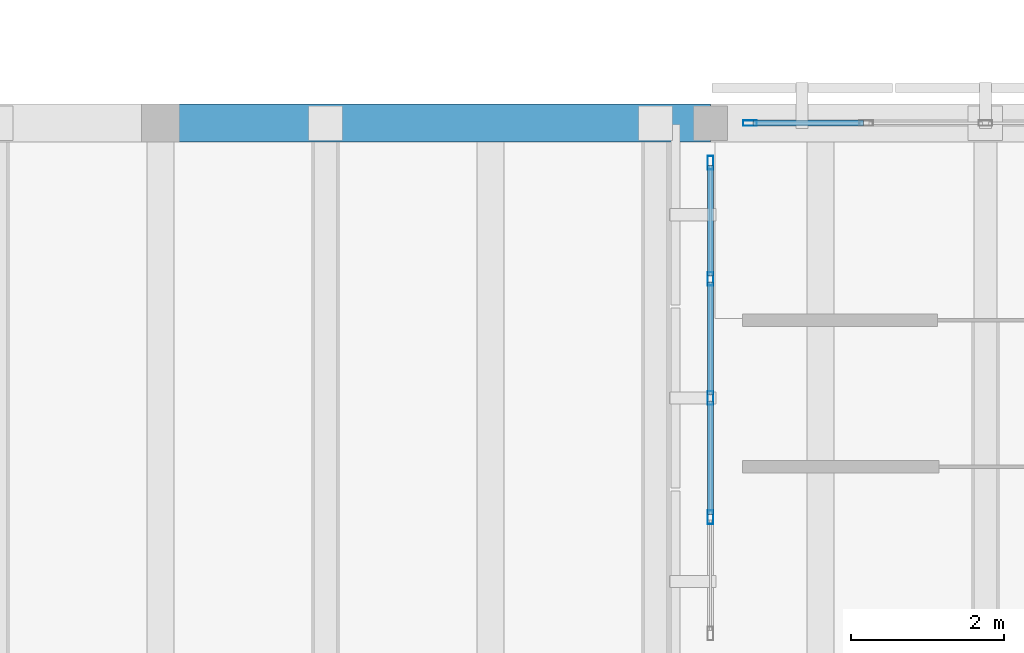
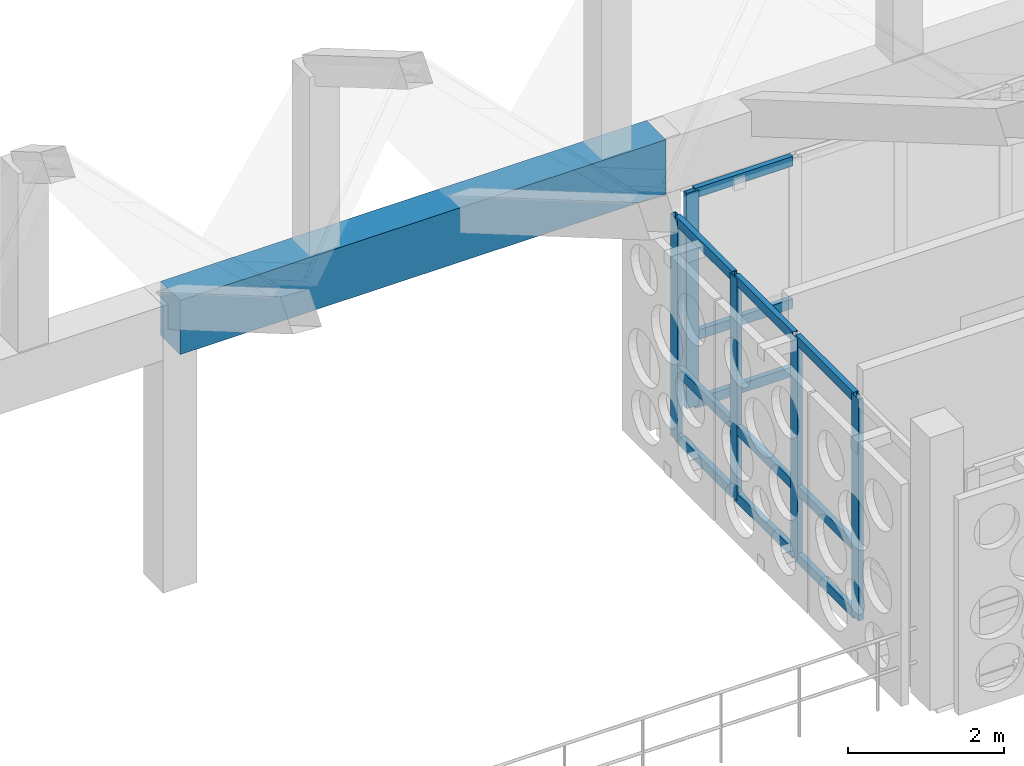
# One storey, part 59 of 171: 17 members, 1 beam, 2 elements without a shape of their own.
"""IFC4 building model written with IfcOpenShell, lengths in metres."""

from ifc_helpers import new_model, si_unit, direction, frame, origin, origin_2d, place, context, subcontext, project, spatial, rectangle, hollow_rectangle, extrude, material, material_profile, profile_set, type_object, element, aggregate, save


model = new_model("IFC4")

# Units and contexts
model_context = context("Model", 3, precision=1e-05, world=origin(), true_north=direction((0.0, 1.0)))
body_context = subcontext(model_context, "Body", "Model", "MODEL_VIEW")
ifc_project = project(units=[si_unit("LENGTHUNIT", "METRE"), si_unit("AREAUNIT", "SQUARE_METRE"), si_unit("VOLUMEUNIT", "CUBIC_METRE"), si_unit("PLANEANGLEUNIT", "RADIAN"), si_unit("MASSUNIT", "GRAM", prefix="KILO")], contexts=[model_context])

# Site, building, storey
site_placement = place(None, origin())
site = spatial("IfcSite", under=ifc_project, at=site_placement, CompositionType="ELEMENT")
building_placement = place(site_placement, origin())
building = spatial("IfcBuilding", under=site, at=building_placement, Name="Aldebral Square Health Centre", CompositionType="ELEMENT")
storey_placement = place(building_placement, frame((0.0, 0.0, 4.5)))
storey = spatial("IfcBuildingStorey", under=building, at=storey_placement, Name="L01", CompositionType="ELEMENT", Elevation=4.5)

# Beam
ifc_material_1 = material(Name="Concrete C40/50", Category="concrete")
ifc_material_profile_1 = material_profile(ifc_material_1, rectangle(XDim=0.5, YDim=0.85009765625, at=origin_2d()), Name="RC 500x850")
ifc_profile_set_1 = profile_set([ifc_material_profile_1], Name="Concrete C40/50")
beam_type = type_object("IfcBeamType", Name="BM-G1", PredefinedType="T_BEAM", material=ifc_profile_set_1)
beam_placement = place(storey_placement, frame((86.39990234375, 100.800048828125, 4.074951171875), z_axis=(1.0, 0.0, 0.0), x_axis=(0.0, 1.0, 0.0)))
element("IfcBeam", 1, at=beam_placement, inside=storey, type_object=beam_type, Name="Waiting Hall diaphragm girder EAVE-N 13", PredefinedType="T_BEAM", context=body_context, shape_type="SweptSolid", body=[
    extrude(rectangle(XDim=0.5, YDim=0.85009765625, at=origin_2d()), origin(), (0.0, 0.0, 1.0), 7.2001953125),
])

# Curtain wall, member
ifc_material_2 = material(Name="Aluminium and low-E solar glass", Category="aluminium")
curtain_wall_type = type_object("IfcCurtainWallType", Name="CW-HALL-SYS", PredefinedType="USERDEFINED", material=ifc_material_2)
curtain_wall_1_placement = place(storey_placement, origin())
curtain_wall_1 = element("IfcCurtainWall", 2, at=curtain_wall_1_placement, inside=storey, type_object=curtain_wall_type, Name="L01 V1 hall curtain wall L01-V1-13-13-N", ObjectType="HALL_CURTAIN_WALL", PredefinedType="USERDEFINED")
ifc_material_3 = material(Name="Anodised aluminium mullion", Category="aluminium")
ifc_material_profile_2 = material_profile(ifc_material_3, hollow_rectangle(XDim=0.074951171875, YDim=0.179931640625, WallThickness=0.00390625, at=origin_2d()), Name="CWM 75x180x4")
ifc_profile_set_2 = profile_set([ifc_material_profile_2], Name="Anodised aluminium mullion")
member_type_1 = type_object("IfcMemberType", Name="CWM-STD", PredefinedType="MULLION", material=ifc_profile_set_2)
member_1_placement = place(storey_placement, frame((94.117431640625, 100.800048828125, 0.0), z_axis=(0.0, 0.0, 1.0), x_axis=(0.0, -1.0, 0.0)))
member_1 = element("IfcMember", 3, at=member_1_placement, type_object=member_type_1, Name="CW2 mullion 5", PredefinedType="MULLION", context=body_context, shape_type="SweptSolid", body=[
    extrude(hollow_rectangle(XDim=0.074951171875, YDim=0.179931640625, WallThickness=0.00390625, at=origin_2d()), origin(), (0.0, 0.0, 1.0), 3.3701171875),
])

# Curtain wall, members
curtain_wall_2_placement = place(storey_placement, origin())
curtain_wall_2 = element("IfcCurtainWall", 4, at=curtain_wall_2_placement, inside=storey, type_object=curtain_wall_type, Name="L01 V1 hall curtain wall L01-V1-13-13-W", ObjectType="HALL_CURTAIN_WALL", PredefinedType="USERDEFINED")
member_2_placement = place(storey_placement, frame((93.60009765625, 100.282470703125, 0.0), z_axis=(0.0, 0.0, 1.0), x_axis=(1.0, 0.0, 0.0)))
member_2 = element("IfcMember", 5, at=member_2_placement, type_object=member_type_1, Name="CW2 mullion 1", PredefinedType="MULLION", context=body_context, shape_type="SweptSolid", body=[
    extrude(hollow_rectangle(XDim=0.074951171875, YDim=0.179931640625, WallThickness=0.00390625, at=origin_2d()), origin(), (0.0, 0.0, 1.0), 3.469970703125),
])
member_3_placement = place(storey_placement, frame((93.60009765625, 98.760009765625, 0.0), z_axis=(0.0, 0.0, 1.0), x_axis=(1.0, 0.0, 0.0)))
member_3 = element("IfcMember", 6, at=member_3_placement, type_object=member_type_1, Name="CW2 mullion 2", PredefinedType="MULLION", context=body_context, shape_type="SweptSolid", body=[
    extrude(hollow_rectangle(XDim=0.074951171875, YDim=0.179931640625, WallThickness=0.00390625, at=origin_2d()), origin(), (0.0, 0.0, 1.0), 3.469970703125),
])
member_4_placement = place(storey_placement, frame((93.60009765625, 97.199951171875, 0.0), z_axis=(0.0, 0.0, 1.0), x_axis=(1.0, 0.0, 0.0)))
member_4 = element("IfcMember", 7, at=member_4_placement, type_object=member_type_1, Name="CW2 mullion 3", PredefinedType="MULLION", context=body_context, shape_type="SweptSolid", body=[
    extrude(hollow_rectangle(XDim=0.074951171875, YDim=0.179931640625, WallThickness=0.00390625, at=origin_2d()), origin(), (0.0, 0.0, 1.0), 3.469970703125),
])
member_5_placement = place(storey_placement, frame((93.60009765625, 95.639892578125, 0.0), z_axis=(0.0, 0.0, 1.0), x_axis=(1.0, 0.0, 0.0)))
member_5 = element("IfcMember", 8, at=member_5_placement, type_object=member_type_1, Name="CW2 mullion 4", PredefinedType="MULLION", context=body_context, shape_type="SweptSolid", body=[
    extrude(hollow_rectangle(XDim=0.074951171875, YDim=0.179931640625, WallThickness=0.00390625, at=origin_2d()), origin(), (0.0, 0.0, 1.0), 3.469970703125),
])

# Member
ifc_material_4 = material(Name="Anodised aluminium transom", Category="aluminium")
ifc_material_profile_3 = material_profile(ifc_material_4, hollow_rectangle(XDim=0.074951171875, YDim=0.14990234375, WallThickness=0.00390625, at=origin_2d()), Name="CWT 75x150x4")
ifc_profile_set_3 = profile_set([ifc_material_profile_3], Name="Anodised aluminium transom")
member_type_2 = type_object("IfcMemberType", Name="CWT-STD", PredefinedType="USERDEFINED", material=ifc_profile_set_3)
member_6_placement = place(storey_placement, frame((95.6025390625, 100.800048828125, 0.03759765625), z_axis=(-1.0, 0.0, 0.0), x_axis=(0.0, -1.0, 0.0)))
member_6 = element("IfcMember", 9, at=member_6_placement, type_object=member_type_2, Name="CW2 transom 4.1", ObjectType="TRANSOM", PredefinedType="USERDEFINED", context=body_context, shape_type="SweptSolid", body=[
    extrude(hollow_rectangle(XDim=0.074951171875, YDim=0.14990234375, WallThickness=0.00390625, at=origin_2d()), origin(), (0.0, 0.0, 1.0), 1.447509765625),
])

member_7_placement = place(storey_placement, frame((95.6025390625, 100.800048828125, 1.10009765625), z_axis=(-1.0, 0.0, 0.0), x_axis=(0.0, -1.0, 0.0)))
member_7 = element("IfcMember", 10, at=member_7_placement, type_object=member_type_2, Name="CW2 transom 4.2", ObjectType="TRANSOM", PredefinedType="USERDEFINED", context=body_context, shape_type="SweptSolid", body=[
    extrude(hollow_rectangle(XDim=0.074951171875, YDim=0.14990234375, WallThickness=0.00390625, at=origin_2d()), origin(), (0.0, 0.0, 1.0), 1.447509765625),
])

member_8_placement = place(storey_placement, frame((95.6025390625, 100.800048828125, 3.33251953125), z_axis=(-1.0, 0.0, 0.0), x_axis=(0.0, -1.0, 0.0)))
member_8 = element("IfcMember", 11, at=member_8_placement, type_object=member_type_2, Name="CW2 transom 4.3", ObjectType="TRANSOM", PredefinedType="USERDEFINED", context=body_context, shape_type="SweptSolid", body=[
    extrude(hollow_rectangle(XDim=0.074951171875, YDim=0.14990234375, WallThickness=0.00390625, at=origin_2d()), origin(), (0.0, 0.0, 1.0), 1.447509765625),
])

aggregate(curtain_wall_1, [member_1, member_6, member_7, member_8])

member_9_placement = place(storey_placement, frame((93.60009765625, 100.2451171875, 0.03759765625), z_axis=(0.0, -1.0, 0.0), x_axis=(1.0, 0.0, 0.0)))
member_9 = element("IfcMember", 12, at=member_9_placement, type_object=member_type_2, Name="CW2 transom 1.1", ObjectType="TRANSOM", PredefinedType="USERDEFINED", context=body_context, shape_type="SweptSolid", body=[
    extrude(hollow_rectangle(XDim=0.074951171875, YDim=0.14990234375, WallThickness=0.00390625, at=origin_2d()), origin(), (0.0, 0.0, 1.0), 1.447509765625),
])

member_10_placement = place(storey_placement, frame((93.60009765625, 100.2451171875, 1.10009765625), z_axis=(0.0, -1.0, 0.0), x_axis=(1.0, 0.0, 0.0)))
member_10 = element("IfcMember", 13, at=member_10_placement, type_object=member_type_2, Name="CW2 transom 1.2", ObjectType="TRANSOM", PredefinedType="USERDEFINED", context=body_context, shape_type="SweptSolid", body=[
    extrude(hollow_rectangle(XDim=0.074951171875, YDim=0.14990234375, WallThickness=0.00390625, at=origin_2d()), origin(), (0.0, 0.0, 1.0), 1.447509765625),
])

member_11_placement = place(storey_placement, frame((93.60009765625, 100.2451171875, 3.4326171875), z_axis=(0.0, -1.0, 0.0), x_axis=(1.0, 0.0, 0.0)))
member_11 = element("IfcMember", 14, at=member_11_placement, type_object=member_type_2, Name="CW2 transom 1.3", ObjectType="TRANSOM", PredefinedType="USERDEFINED", context=body_context, shape_type="SweptSolid", body=[
    extrude(hollow_rectangle(XDim=0.074951171875, YDim=0.14990234375, WallThickness=0.00390625, at=origin_2d()), origin(), (0.0, 0.0, 1.0), 1.447509765625),
])

member_12_placement = place(storey_placement, frame((93.60009765625, 98.722412109375, 0.03759765625), z_axis=(0.0, -1.0, 0.0), x_axis=(1.0, 0.0, 0.0)))
member_12 = element("IfcMember", 15, at=member_12_placement, type_object=member_type_2, Name="CW2 transom 2.1", ObjectType="TRANSOM", PredefinedType="USERDEFINED", context=body_context, shape_type="SweptSolid", body=[
    extrude(hollow_rectangle(XDim=0.074951171875, YDim=0.14990234375, WallThickness=0.00390625, at=origin_2d()), origin(), (0.0, 0.0, 1.0), 1.48486328125),
])

member_13_placement = place(storey_placement, frame((93.60009765625, 98.722412109375, 1.10009765625), z_axis=(0.0, -1.0, 0.0), x_axis=(1.0, 0.0, 0.0)))
member_13 = element("IfcMember", 16, at=member_13_placement, type_object=member_type_2, Name="CW2 transom 2.2", ObjectType="TRANSOM", PredefinedType="USERDEFINED", context=body_context, shape_type="SweptSolid", body=[
    extrude(hollow_rectangle(XDim=0.074951171875, YDim=0.14990234375, WallThickness=0.00390625, at=origin_2d()), origin(), (0.0, 0.0, 1.0), 1.48486328125),
])

member_14_placement = place(storey_placement, frame((93.60009765625, 98.722412109375, 3.4326171875), z_axis=(0.0, -1.0, 0.0), x_axis=(1.0, 0.0, 0.0)))
member_14 = element("IfcMember", 17, at=member_14_placement, type_object=member_type_2, Name="CW2 transom 2.3", ObjectType="TRANSOM", PredefinedType="USERDEFINED", context=body_context, shape_type="SweptSolid", body=[
    extrude(hollow_rectangle(XDim=0.074951171875, YDim=0.14990234375, WallThickness=0.00390625, at=origin_2d()), origin(), (0.0, 0.0, 1.0), 1.48486328125),
])

member_15_placement = place(storey_placement, frame((93.60009765625, 97.16259765625, 0.03759765625), z_axis=(0.0, -1.0, 0.0), x_axis=(1.0, 0.0, 0.0)))
member_15 = element("IfcMember", 18, at=member_15_placement, type_object=member_type_2, Name="CW2 transom 3.1", ObjectType="TRANSOM", PredefinedType="USERDEFINED", context=body_context, shape_type="SweptSolid", body=[
    extrude(hollow_rectangle(XDim=0.074951171875, YDim=0.14990234375, WallThickness=0.00390625, at=origin_2d()), origin(), (0.0, 0.0, 1.0), 1.485107421875),
])

member_16_placement = place(storey_placement, frame((93.60009765625, 97.16259765625, 1.10009765625), z_axis=(0.0, -1.0, 0.0), x_axis=(1.0, 0.0, 0.0)))
member_16 = element("IfcMember", 19, at=member_16_placement, type_object=member_type_2, Name="CW2 transom 3.2", ObjectType="TRANSOM", PredefinedType="USERDEFINED", context=body_context, shape_type="SweptSolid", body=[
    extrude(hollow_rectangle(XDim=0.074951171875, YDim=0.14990234375, WallThickness=0.00390625, at=origin_2d()), origin(), (0.0, 0.0, 1.0), 1.485107421875),
])

member_17_placement = place(storey_placement, frame((93.60009765625, 97.16259765625, 3.4326171875), z_axis=(0.0, -1.0, 0.0), x_axis=(1.0, 0.0, 0.0)))
member_17 = element("IfcMember", 20, at=member_17_placement, type_object=member_type_2, Name="CW2 transom 3.3", ObjectType="TRANSOM", PredefinedType="USERDEFINED", context=body_context, shape_type="SweptSolid", body=[
    extrude(hollow_rectangle(XDim=0.074951171875, YDim=0.14990234375, WallThickness=0.00390625, at=origin_2d()), origin(), (0.0, 0.0, 1.0), 1.485107421875),
])

aggregate(curtain_wall_2, [member_2, member_3, member_4, member_5, member_9, member_10, member_11, member_12, member_13, member_14, member_15, member_16, member_17])

save(model, "model.ifc")
